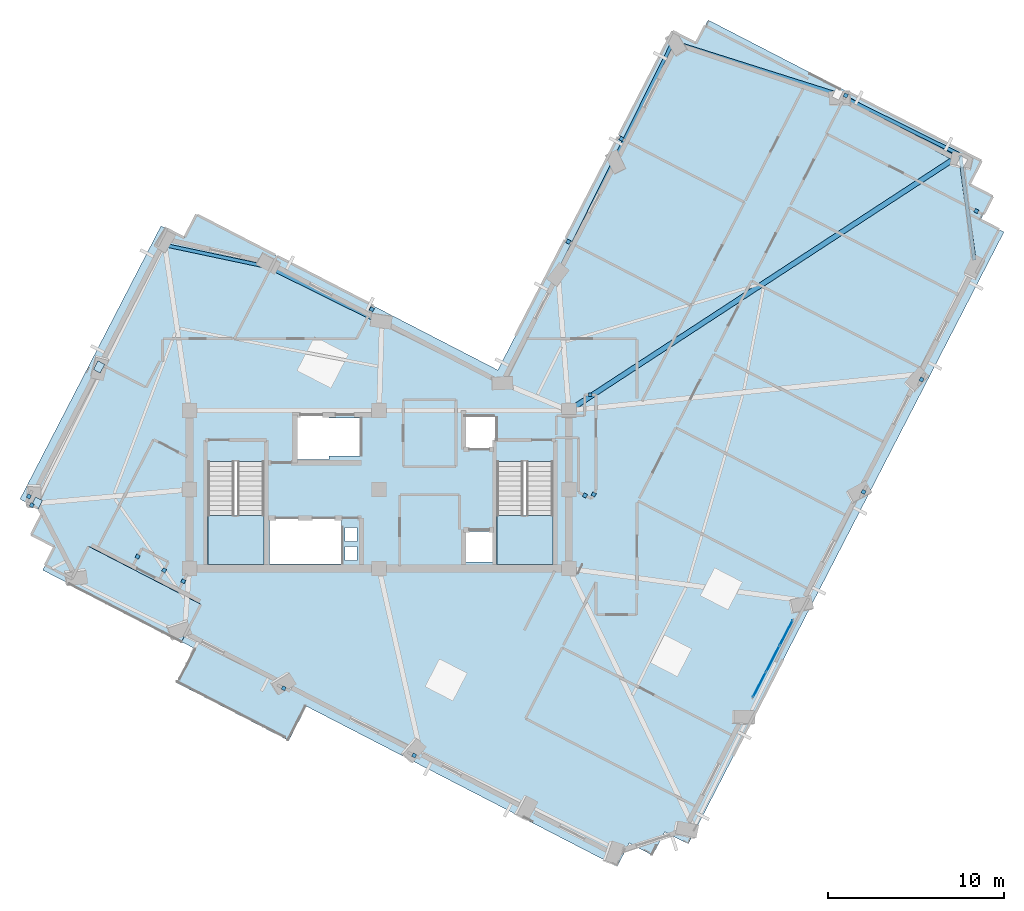
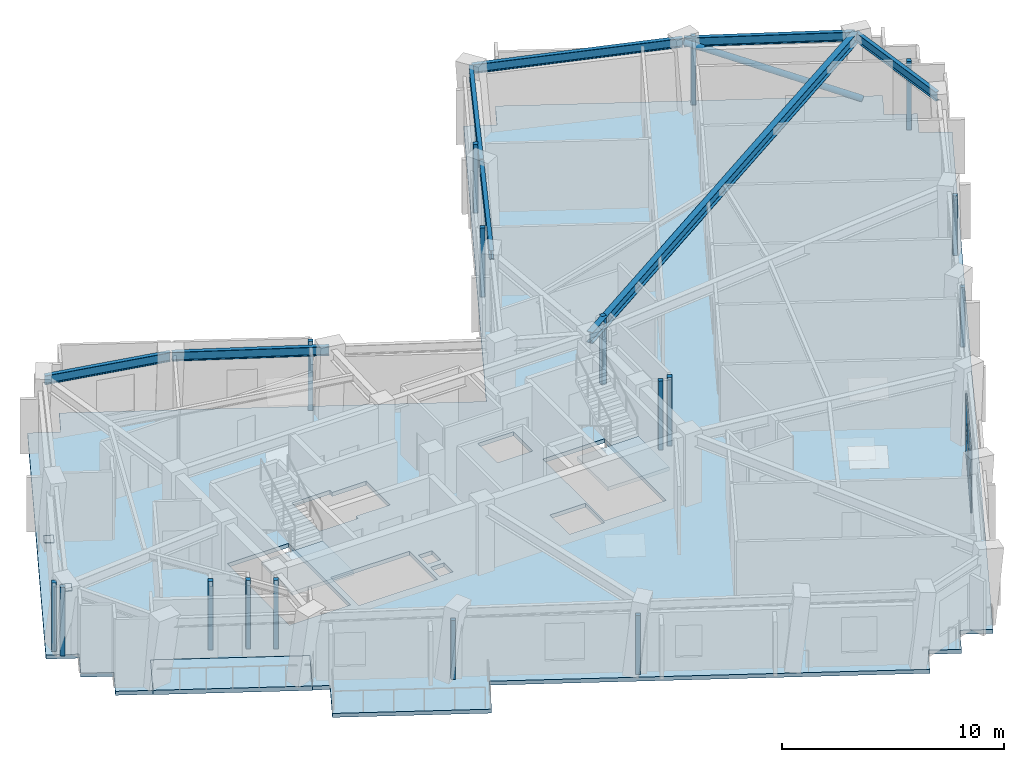
# One storey, part 3 of 11: 25 plates, 8 beams, 4 slabs, 1 member, 3 elements without a shape of their own.
"""IFC4 building model written with IfcOpenShell, lengths in metres."""

from ifc_helpers import new_model, si_unit, direction, frame, origin, origin_2d, place, context, subcontext, project, spatial, polyline, rectangle, hollow_circle, i_section, outline, extrude, material, layer, layer_set, material_profile, profile_set, type_object, element, aggregate, save


model = new_model("IFC4")

# Units and contexts
model_context = context("Model", 3, precision=1e-05, world=origin(), true_north=direction((0.0, 1.0)))
body_context = subcontext(model_context, "Body", "Model", "MODEL_VIEW")
ifc_project = project(units=[si_unit("LENGTHUNIT", "METRE"), si_unit("AREAUNIT", "SQUARE_METRE"), si_unit("VOLUMEUNIT", "CUBIC_METRE"), si_unit("PLANEANGLEUNIT", "RADIAN"), si_unit("MASSUNIT", "GRAM", prefix="KILO")], contexts=[model_context])

# Site, building, storey
site_placement = place(None, origin())
site = spatial("IfcSite", under=ifc_project, at=site_placement, CompositionType="ELEMENT")
building_placement = place(site_placement, origin())
building = spatial("IfcBuilding", under=site, at=building_placement, Name="Gaonmaruhae Medical Tower", CompositionType="ELEMENT")
storey_placement = place(building_placement, frame((0.0, 0.0, 292.60009765625)))
storey = spatial("IfcBuildingStorey", under=building, at=storey_placement, Name="L70", CompositionType="ELEMENT", Elevation=292.60009765625)

# Member
ifc_material_1 = material(Name="Steel SM355", Category="steel")
ifc_material_profile_1 = material_profile(ifc_material_1, hollow_circle(Radius=0.1591796875, WallThickness=0.01025390625, at=origin_2d()), Name="CHS-318.5x10.3")
ifc_profile_set_1 = profile_set([ifc_material_profile_1], Name="Steel SM355")
member_type = type_object("IfcMemberType", Name="PB-03 Perimeter Solid-Bay Tube Brace Upper (CHS-318.5x10.3)", PredefinedType="BRACE", material=ifc_profile_set_1)
member_placement = place(storey_placement, frame((57.987060546875, 30.949951171875, 0.25), z_axis=(-0.813648115528, 0.443291373771, 0.376124317264), x_axis=(-0.478422302134, -0.878129888354, 0.0)))
element("IfcMember", 1, at=member_placement, inside=storey, type_object=member_type, Name="L70 Perimeter Tube Solid-Bay Brace E01-E02", PredefinedType="BRACE", context=body_context, shape_type="SweptSolid", body=[
    extrude(hollow_circle(Radius=0.1591796875, WallThickness=0.01025390625, at=origin_2d()), origin(), (0.0, 0.0, 1.0), 8.719970703125),
])

# Beams
ifc_material_2 = material(Name="Steel SM420", Category="steel")
ifc_material_profile_2 = material_profile(ifc_material_2, i_section(OverallWidth=0.300048828125, OverallDepth=0.60009765625, WebThickness=0.011962890625, FlangeThickness=0.02001953125, FilletRadius=0.012939453125, at=origin_2d()), Name="H-600x300x12x20")
ifc_profile_set_2 = profile_set([ifc_material_profile_2], Name="Steel SM420")
beam_type_1 = type_object("IfcBeamType", Name="PG-04 Zone 4 Radial Floor Girder (H-600x300x12x20)", PredefinedType="BEAM", material=ifc_profile_set_2)
beam_1_placement = place(storey_placement, frame((35.641845703125, 16.827392578125, 3.47998046875), z_axis=(0.837233766809, 0.546845151496, 0.0), x_axis=(-0.546845151496, 0.837233766809, 0.0)))
element("IfcBeam", 2, at=beam_1_placement, inside=storey, type_object=beam_type_1, Name="L70 Radial Primary Girder E01", PredefinedType="BEAM", context=body_context, shape_type="SweptSolid", body=[
    extrude(i_section(OverallWidth=0.300048828125, OverallDepth=0.60009765625, WebThickness=0.011962890625, FlangeThickness=0.02001953125, FilletRadius=0.012939453125, at=origin_2d()), origin(), (0.0, 0.0, 1.0), 26.513427734375),
])
ifc_material_profile_3 = material_profile(ifc_material_1, i_section(OverallWidth=0.199951171875, OverallDepth=0.5, WebThickness=0.010009765625, FlangeThickness=0.01611328125, FilletRadius=0.012939453125, at=origin_2d()), Name="H-500x200x10x16")
ifc_profile_set_3 = profile_set([ifc_material_profile_3], Name="Steel SM355")
beam_type_2 = type_object("IfcBeamType", Name="SP-02 Upper Perimeter Spandrel Beam (H-500x200x10x16)", PredefinedType="SPANDREL", material=ifc_profile_set_3)
beam_2_placement = place(storey_placement, frame((58.681640625, 25.358642578125, 3.52978515625), z_axis=(-0.132272853111, 0.991213343499, 0.0), x_axis=(-0.991213343499, -0.132272853111, 0.0)))
element("IfcBeam", 3, at=beam_2_placement, inside=storey, type_object=beam_type_2, Name="L70 Perimeter Spandrel Beam S06-E01", PredefinedType="SPANDREL", context=body_context, shape_type="SweptSolid", body=[
    extrude(i_section(OverallWidth=0.199951171875, OverallDepth=0.5, WebThickness=0.010009765625, FlangeThickness=0.01611328125, FilletRadius=0.012939453125, at=origin_2d()), origin(), (0.0, 0.0, 1.0), 6.0078125),
])
beam_3_placement = place(storey_placement, frame((57.845703125, 31.37109375, 3.52978515625), z_axis=(-0.896097038925, 0.443858194506, 0.0), x_axis=(-0.443858194506, -0.896097038925, 0.0)))
element("IfcBeam", 4, at=beam_3_placement, inside=storey, type_object=beam_type_2, Name="L70 Perimeter Spandrel Beam E01-E02", PredefinedType="SPANDREL", context=body_context, shape_type="SweptSolid", body=[
    extrude(i_section(OverallWidth=0.199951171875, OverallDepth=0.5, WebThickness=0.010009765625, FlangeThickness=0.01611328125, FilletRadius=0.012939453125, at=origin_2d()), origin(), (0.0, 0.0, 1.0), 7.7197265625),
])
beam_4_placement = place(storey_placement, frame((50.85400390625, 34.82763671875, 3.52978515625), z_axis=(-0.953407401572, 0.301685807799, 0.0), x_axis=(-0.301685807799, -0.953407401572, 0.0)))
element("IfcBeam", 5, at=beam_4_placement, inside=storey, type_object=beam_type_2, Name="L70 Perimeter Spandrel Beam E02-E03", PredefinedType="SPANDREL", context=body_context, shape_type="SweptSolid", body=[
    extrude(i_section(OverallWidth=0.199951171875, OverallDepth=0.5, WebThickness=0.010009765625, FlangeThickness=0.01611328125, FilletRadius=0.012939453125, at=origin_2d()), origin(), (0.0, 0.0, 1.0), 9.7353515625),
])
beam_5_placement = place(storey_placement, frame((41.516357421875, 37.740966796875, 3.52978515625), z_axis=(-0.443863756328, -0.896094284, 0.0), x_axis=(0.896094284, -0.443863756328, 0.0)))
element("IfcBeam", 6, at=beam_5_placement, inside=storey, type_object=beam_type_2, Name="L70 Perimeter Spandrel Beam E03-EN01", PredefinedType="SPANDREL", context=body_context, shape_type="SweptSolid", body=[
    extrude(i_section(OverallWidth=0.199951171875, OverallDepth=0.5, WebThickness=0.010009765625, FlangeThickness=0.01611328125, FilletRadius=0.012939453125, at=origin_2d()), origin(), (0.0, 0.0, 1.0), 7.469970703125),
])
beam_6_placement = place(storey_placement, frame((38.165283203125, 30.975341796875, 3.52978515625), z_axis=(-0.443836379254, -0.896107844208, 0.0), x_axis=(0.896107844208, -0.443836379254, 0.0)))
element("IfcBeam", 7, at=beam_6_placement, inside=storey, type_object=beam_type_2, Name="L70 Perimeter Spandrel Beam EN01-EN02", PredefinedType="SPANDREL", context=body_context, shape_type="SweptSolid", body=[
    extrude(i_section(OverallWidth=0.199951171875, OverallDepth=0.5, WebThickness=0.010009765625, FlangeThickness=0.01611328125, FilletRadius=0.012939453125, at=origin_2d()), origin(), (0.0, 0.0, 1.0), 7.1201171875),
])
beam_7_placement = place(storey_placement, frame((24.921875, 21.7890625, 3.52978515625), z_axis=(-0.896101089288, 0.44385001721, 0.0), x_axis=(-0.44385001721, -0.896101089288, 0.0)))
element("IfcBeam", 8, at=beam_7_placement, inside=storey, type_object=beam_type_2, Name="L70 Perimeter Spandrel Beam NE01-NE02", PredefinedType="SPANDREL", context=body_context, shape_type="SweptSolid", body=[
    extrude(i_section(OverallWidth=0.199951171875, OverallDepth=0.5, WebThickness=0.010009765625, FlangeThickness=0.01611328125, FilletRadius=0.012939453125, at=origin_2d()), origin(), (0.0, 0.0, 1.0), 7.119873046875),
])
beam_8_placement = place(storey_placement, frame((18.466796875, 24.975341796875, 3.52978515625), z_axis=(-0.978269390766, 0.207337886288, 0.0), x_axis=(-0.207337886288, -0.978269390766, 0.0)))
element("IfcBeam", 9, at=beam_8_placement, inside=storey, type_object=beam_type_2, Name="L70 Perimeter Spandrel Beam NE02-N01", PredefinedType="SPANDREL", context=body_context, shape_type="SweptSolid", body=[
    extrude(i_section(OverallWidth=0.199951171875, OverallDepth=0.5, WebThickness=0.010009765625, FlangeThickness=0.01611328125, FilletRadius=0.012939453125, at=origin_2d()), origin(), (0.0, 0.0, 1.0), 5.959228515625),
])

# Curtain wall, plates
ifc_material_3 = material(Name="Anodised aluminium and Low-E double glazing", Category="aluminium")
curtain_wall_type = type_object("IfcCurtainWallType", Name="CW-S3 Spiralling Dayroom Ribbon Curtain Wall", PredefinedType="NOTDEFINED", material=ifc_material_3)
curtain_wall_placement = place(storey_placement, origin())
curtain_wall = element("IfcCurtainWall", 10, at=curtain_wall_placement, inside=storey, type_object=curtain_wall_type, Name="L70 Curtain Wall CW-L70-S02", PredefinedType="NOTDEFINED")
ifc_material_4 = material(Name="Insulated fritted spandrel glass", Category="glass")
ifc_layer_1 = layer(ifc_material_4, 0.0439453125)
ifc_layer_set_1 = layer_set([ifc_layer_1], Name="Insulated fritted spandrel glass")
plate_type_1 = type_object("IfcPlateType", Name="CWP-S1 Insulated Fritted Spandrel Panel", PredefinedType="CURTAIN_PANEL", material=ifc_layer_set_1)
plate_1_placement = place(storey_placement, frame((47.980224609375, 4.1494140625, 0.06494140625), z_axis=(0.0, 0.0, 1.0), x_axis=(-0.458636850866, -0.888623789366, 0.0)))
plate_1 = element("IfcPlate", 11, at=plate_1_placement, type_object=plate_type_1, Name="CW-S3 panel 1.1", PredefinedType="CURTAIN_PANEL", context=body_context, shape_type="SweptSolid", body=[
    extrude(rectangle(XDim=1.581298828125, YDim=0.0439453125, at=origin_2d()), origin(), (0.0, 0.0, 1.0), 1.534912109375),
])
plate_2_placement = place(storey_placement, frame((47.980224609375, 4.1494140625, 1.6650390625), z_axis=(0.0, 0.0, 1.0), x_axis=(-0.458636850866, -0.888623789366, 0.0)))
plate_2 = element("IfcPlate", 12, at=plate_2_placement, type_object=plate_type_1, Name="CW-S3 panel 1.2", PredefinedType="CURTAIN_PANEL", context=body_context, shape_type="SweptSolid", body=[
    extrude(rectangle(XDim=1.581298828125, YDim=0.0439453125, at=origin_2d()), origin(), (0.0, 0.0, 1.0), 1.534912109375),
])
plate_3_placement = place(storey_placement, frame((47.2177734375, 2.671875, 0.06494140625), z_axis=(0.0, 0.0, 1.0), x_axis=(-0.458636850866, -0.888623789366, 0.0)))
plate_3 = element("IfcPlate", 13, at=plate_3_placement, type_object=plate_type_1, Name="CW-S3 panel 2.1", PredefinedType="CURTAIN_PANEL", context=body_context, shape_type="SweptSolid", body=[
    extrude(rectangle(XDim=1.61376953125, YDim=0.0439453125, at=origin_2d()), origin(), (0.0, 0.0, 1.0), 1.534912109375),
])
plate_4_placement = place(storey_placement, frame((47.2177734375, 2.671875, 1.6650390625), z_axis=(0.0, 0.0, 1.0), x_axis=(-0.458636850866, -0.888623789366, 0.0)))
plate_4 = element("IfcPlate", 14, at=plate_4_placement, type_object=plate_type_1, Name="CW-S3 panel 2.2", PredefinedType="CURTAIN_PANEL", context=body_context, shape_type="SweptSolid", body=[
    extrude(rectangle(XDim=1.61376953125, YDim=0.0439453125, at=origin_2d()), origin(), (0.0, 0.0, 1.0), 1.534912109375),
])
plate_5_placement = place(storey_placement, frame((46.455078125, 1.1943359375, 0.06494140625), z_axis=(0.0, 0.0, 1.0), x_axis=(-0.458636850866, -0.888623789366, 0.0)))
plate_5 = element("IfcPlate", 15, at=plate_5_placement, type_object=plate_type_1, Name="CW-S3 panel 3.1", PredefinedType="CURTAIN_PANEL", context=body_context, shape_type="SweptSolid", body=[
    extrude(rectangle(XDim=1.581298828125, YDim=0.0439453125, at=origin_2d()), origin(), (0.0, 0.0, 1.0), 1.534912109375),
])
plate_6_placement = place(storey_placement, frame((46.455078125, 1.1943359375, 1.6650390625), z_axis=(0.0, 0.0, 1.0), x_axis=(-0.458636850866, -0.888623789366, 0.0)))
plate_6 = element("IfcPlate", 16, at=plate_6_placement, type_object=plate_type_1, Name="CW-S3 panel 3.2", PredefinedType="CURTAIN_PANEL", context=body_context, shape_type="SweptSolid", body=[
    extrude(rectangle(XDim=1.581298828125, YDim=0.0439453125, at=origin_2d()), origin(), (0.0, 0.0, 1.0), 1.534912109375),
])
aggregate(curtain_wall, [plate_1, plate_2, plate_3, plate_4, plate_5, plate_6])

# Slab
ifc_material_5 = material(Name="Concrete C40/50", Category="concrete")
ifc_layer_2 = layer(ifc_material_5, 0.219970703125)
ifc_layer_set_2 = layer_set([ifc_layer_2], Name="Concrete C40/50")
slab_type_1 = type_object("IfcSlabType", Name="FS-220 Clinical Ward Composite Floor Slab", PredefinedType="FLOOR", material=ifc_layer_set_2)
slab_1_placement = place(storey_placement, frame((0.0, 0.0, -0.22021484375)))
element("IfcSlab", 17, at=slab_1_placement, inside=storey, type_object=slab_type_1, Name="L70 Structural Slab 1", PredefinedType="FLOOR", context=body_context, shape_type="SweptSolid", body=[
    extrude(outline(polyline([(6.33935546875, 9.048583984375), (5.00634765625, 9.73681640625), (5.6943359375, 11.069580078125), (4.361328125, 11.757568359375), (12.3876953125, 27.308349609375), (13.720703125, 26.620361328125), (14.40869140625, 27.953369140625), (31.55908203125, 19.101318359375), (41.51171875, 38.384521484375), (42.844482421875, 37.6962890625), (43.53271484375, 39.029296875), (59.08349609375, 31.0029296875), (58.3955078125, 29.669921875), (59.728271484375, 28.982177734375), (59.040283203125, 27.649169921875), (60.373291015625, 26.961181640625), (42.394287109375, -7.87255859375), (41.061279296875, -7.184814453125), (40.373291015625, -8.517578125), (39.040283203125, -7.82958984375), (38.352294921875, -9.16259765625), (20.6689453125, -0.035400390625), (19.659912109375, -1.990478515625), (13.261962890625, 1.31201171875), (14.27099609375, 3.266845703125), (13.56005859375, 3.6337890625), (14.660888671875, 5.7666015625), (8.2626953125, 9.068603515625), (7.162109375, 6.93603515625), (5.6513671875, 7.7158203125), (6.33935546875, 9.048583984375)]), holes=[polyline([(23.550048828125, 8.25), (22.85009765625, 8.25), (22.85009765625, 9.050048828125), (23.550048828125, 9.050048828125), (23.550048828125, 8.25)]), polyline([(29.574951171875, 9.925048828125), (31.425048828125, 9.925048828125), (31.425048828125, 8.175048828125), (29.574951171875, 8.175048828125), (29.574951171875, 9.925048828125)]), polyline([(18.550048828125, 10.625), (22.64990234375, 10.625), (22.64990234375, 8.074951171875), (18.550048828125, 8.074951171875), (18.550048828125, 10.625)]), polyline([(23.550048828125, 9.35009765625), (22.85009765625, 9.35009765625), (22.85009765625, 10.14990234375), (23.550048828125, 10.14990234375), (23.550048828125, 9.35009765625)]), polyline([(15.050048828125, 13.889892578125), (18.25, 13.889892578125), (18.25, 8.300048828125), (15.050048828125, 8.300048828125), (15.050048828125, 13.889892578125)]), polyline([(31.5, 13.889892578125), (34.699951171875, 13.889892578125), (34.699951171875, 8.300048828125), (31.5, 8.300048828125), (31.5, 13.889892578125)]), polyline([(23.72509765625, 14.22509765625), (21.949951171875, 14.22509765625), (21.949951171875, 14.02490234375), (19.949951171875, 14.02490234375), (19.949951171875, 16.574951171875), (21.949951171875, 16.574951171875), (21.949951171875, 16.375), (23.72509765625, 16.375), (23.72509765625, 14.22509765625)]), polyline([(31.425048828125, 16.425048828125), (31.425048828125, 14.675048828125), (29.574951171875, 14.675048828125), (29.574951171875, 16.425048828125), (31.425048828125, 16.425048828125)])]), origin(), (0.0, 0.0, 1.0), 0.22021484375),
])

# Plates
ifc_material_6 = material(Name="Steel HSA650 (650 MPa)", Category="steel")
ifc_layer_3 = layer(ifc_material_6, 0.028076171875)
ifc_layer_set_3 = layer_set([ifc_layer_3], Name="Steel HSA650 (650 MPa)")
plate_type_2 = type_object("IfcPlateType", Name="GP-02 Tube Brace End Cap Gusset Plate", PredefinedType="USERDEFINED", material=ifc_layer_set_3)
for number, where, z_axis, x_axis, name in (
    (18, (8.86328125, 19.28076171875, 0.23583984375), (0.0, 0.0, 1.0), (0.458649554484, 0.888617232655, 0.0), "L70 Gusset Cap Plate PLT-L70-PBR-N02A"),
    (19, (5.318603515625, 11.5234375, 3.515625), (0.0, 0.0, 1.0), (0.443853354011, 0.896099436521, 0.0), "L70 Gusset Cap Plate PLT-L70-PBR-N02B"),
):
    element("IfcPlate", number, at=place(storey_placement, frame(where, z_axis=z_axis, x_axis=x_axis)), inside=storey, type_object=plate_type_2, Name=name, ObjectType="GUSSET_PLATE", PredefinedType="USERDEFINED", context=body_context, shape_type="SweptSolid", body=[
        extrude(rectangle(XDim=0.56005859375, YDim=0.43994140625, at=origin_2d()), origin(), (0.0, 0.0, 1.0), 0.028076171875),
    ])
ifc_material_7 = material(Name="Anodised aluminium 6063-T6", Category="aluminium")
ifc_layer_4 = layer(ifc_material_7, 0.011962890625)
ifc_layer_set_4 = layer_set([ifc_layer_4], Name="Anodised aluminium 6063-T6")
plate_type_3 = type_object("IfcPlateType", Name="PP-01 Interior Partition Corner Stiffener Plate", PredefinedType="SHEET", material=ifc_layer_set_4)
for number, where, z_axis, x_axis, name in (
    (20, (52.376953125, 12.16552734375, 0.0), (0.0, 0.0, 1.0), (-0.458773624385, -0.888553184434, 0.0), "L70 Partition Corner Stiffener Plate PLT-L70-JGP-PW024"),
    (21, (55.678466796875, 18.56298828125, 0.0), (0.0, 0.0, 1.0), (-0.45829280372, -0.888801274784, 0.0), "L70 Partition Corner Stiffener Plate PLT-L70-JGP-PW027"),
):
    element("IfcPlate", number, at=place(storey_placement, frame(where, z_axis=z_axis, x_axis=x_axis)), inside=storey, type_object=plate_type_3, Name=name, PredefinedType="SHEET", context=body_context, shape_type="SweptSolid", body=[
        extrude(rectangle(XDim=0.219970703125, YDim=0.219970703125, at=origin_2d()), origin(), (0.0, 0.0, 1.0), 3.264892578125),
    ])
plate_7_placement = place(storey_placement, frame((58.800537109375, 28.155029296875, 0.0), z_axis=(0.0, 0.0, 1.0), x_axis=(0.888737276374, -0.458416899322, 0.0)))
element("IfcPlate", 22, at=plate_7_placement, inside=storey, type_object=plate_type_3, Name="L70 Partition Corner Stiffener Plate PLT-L70-JGP-PW033", PredefinedType="SHEET", context=body_context, shape_type="SweptSolid", body=[
    extrude(rectangle(XDim=0.219970703125, YDim=0.219970703125, at=origin_2d()), origin(), (0.0, 0.0, 1.0), 3.780029296875),
])
for number, where, z_axis, x_axis, name in (
    (23, (26.79345703125, -2.83642578125, -0.000244140625), (0.0, 0.0, 1.0), (-0.888505136901, 0.458866670941, 0.0), "L70 Partition Corner Stiffener Plate PLT-L70-JGP-PW038"),
    (24, (19.3740234375, 0.992919921875, -0.000244140625), (0.0, 0.0, 1.0), (-0.888817271679, 0.458261778424, 0.0), "L70 Partition Corner Stiffener Plate PLT-L70-JGP-PW041"),
):
    element("IfcPlate", number, at=place(storey_placement, frame(where, z_axis=z_axis, x_axis=x_axis)), inside=storey, type_object=plate_type_3, Name=name, PredefinedType="SHEET", context=body_context, shape_type="SweptSolid", body=[
        extrude(rectangle(XDim=0.219970703125, YDim=0.219970703125, at=origin_2d()), origin(), (0.0, 0.0, 1.0), 3.2451171875),
    ])
for number, where, z_axis, x_axis, name in (
    (25, (13.652099609375, 7.08154296875, 0.0), (0.0, 0.0, 1.0), (0.458649554484, 0.888617232655, 0.0), "L70 Partition Corner Stiffener Plate PLT-L70-JGP-PW044"),
    (26, (12.56689453125, 7.70556640625, 0.0), (0.0, 0.0, 1.0), (0.458928699183, 0.888473099799, 0.0), "L70 Partition Corner Stiffener Plate PLT-L70-JGP-PW045"),
    (27, (11.055908203125, 8.485107421875, 0.0), (0.0, 0.0, 1.0), (-0.458540985986, -0.888673260637, 0.0), "L70 Partition Corner Stiffener Plate PLT-L70-JGP-PW047"),
    (28, (5.031982421875, 11.410888671875, 0.0), (0.0, 0.0, 1.0), (-0.88848110948, 0.458913192332, 0.0), "L70 Partition Corner Stiffener Plate PLT-L70-JGP-PW053"),
    (29, (4.866943359375, 11.907958984375, 0.0), (0.0, 0.0, 1.0), (0.459192294254, 0.888336893806, 0.0), "L70 Partition Corner Stiffener Plate PLT-L70-JGP-PW054"),
    (30, (36.824951171875, 17.699951171875, 0.0), (0.0, 0.0, 1.0), (1.0, 0.0, 0.0), "L70 Partition Corner Stiffener Plate PLT-L70-JGP-PW064"),
    (31, (37.0205078125, 12.0224609375, 0.0), (0.0, 0.0, 1.0), (-0.459223302782, -0.88832086443, 0.0), "L70 Partition Corner Stiffener Plate PLT-L70-JGP-PW066"),
    (32, (36.5205078125, 11.96337890625, 0.0), (0.0, 0.0, 1.0), (-0.8883529221, 0.459161285167, 0.0), "L70 Partition Corner Stiffener Plate PLT-L70-JGP-PW067"),
    (33, (35.575927734375, 26.410400390625, 0.0), (0.0, 0.0, 1.0), (0.888833267492, -0.458230752569, 0.0), "L70 Partition Corner Stiffener Plate PLT-L70-JGP-PW072"),
    (34, (38.599609375, 32.26806640625, 0.0), (0.0, 0.0, 1.0), (0.888376962511, -0.459114770487, 0.0), "L70 Partition Corner Stiffener Plate PLT-L70-JGP-PW078"),
    (35, (24.385986328125, 22.55908203125, 0.0), (0.0, 0.0, 1.0), (-0.460044824759, -0.887895691628, 0.0), "L70 Partition Corner Stiffener Plate PLT-L70-JGP-PW088"),
    (36, (51.363037109375, 34.73046875, 0.0), (0.0, 0.0, 1.0), (0.458525475642, 0.888681263551, 0.0), "L70 Partition Corner Stiffener Plate PLT-L70-JGP-PW101"),
):
    element("IfcPlate", number, at=place(storey_placement, frame(where, z_axis=z_axis, x_axis=x_axis)), inside=storey, type_object=plate_type_3, Name=name, PredefinedType="SHEET", context=body_context, shape_type="SweptSolid", body=[
        extrude(rectangle(XDim=0.219970703125, YDim=0.219970703125, at=origin_2d()), origin(), (0.0, 0.0, 1.0), 3.780029296875),
    ])

# Stair, slab
stair_type = type_object("IfcStairType", Name="ST-T1 Primary Core Escape Dogleg Stair", PredefinedType="TWO_QUARTER_TURN_STAIR", material=ifc_material_5)
stair_1_placement = place(storey_placement, origin())
stair_1 = element("IfcStair", 37, at=stair_1_placement, inside=storey, type_object=stair_type, Name="L70 Protected Escape Stair ST-01", PredefinedType="TWO_QUARTER_TURN_STAIR")
ifc_layer_5 = layer(ifc_material_5, 0.199951171875)
ifc_layer_set_5 = layer_set([ifc_layer_5], Name="Concrete C40/50")
slab_type_2 = type_object("IfcSlabType", Name="SL-200 Stair & Ramp Intermediate Concrete Landing", PredefinedType="LANDING", material=ifc_layer_set_5)
slab_2_placement = place(storey_placement, frame((0.0, 0.0, 1.7998046875)))
slab_2 = element("IfcSlab", 38, at=slab_2_placement, type_object=slab_type_2, Name="ST-01 landing 1", PredefinedType="LANDING", context=body_context, shape_type="SweptSolid", body=[
    extrude(outline(polyline([(15.050048828125, 10.820068359375), (15.050048828125, 8.029052734375), (18.25, 8.029052734375), (18.25, 10.820068359375), (15.050048828125, 10.820068359375)])), origin(), (0.0, 0.0, 1.0), 0.2001953125),
])
aggregate(stair_1, [slab_2])

stair_2_placement = place(storey_placement, origin())
stair_2 = element("IfcStair", 39, at=stair_2_placement, inside=storey, type_object=stair_type, Name="L70 Protected Escape Stair ST-02", PredefinedType="TWO_QUARTER_TURN_STAIR")
slab_3_placement = place(storey_placement, frame((0.0, 0.0, 1.7998046875)))
slab_3 = element("IfcSlab", 40, at=slab_3_placement, type_object=slab_type_2, Name="ST-02 landing 1", PredefinedType="LANDING", context=body_context, shape_type="SweptSolid", body=[
    extrude(outline(polyline([(31.5, 10.820068359375), (31.5, 8.029052734375), (34.699951171875, 8.029052734375), (34.699951171875, 10.820068359375), (31.5, 10.820068359375)])), origin(), (0.0, 0.0, 1.0), 0.2001953125),
])
aggregate(stair_2, [slab_3])

# Slab
ifc_layer_6 = layer(ifc_material_5, 0.239990234375)
ifc_layer_set_6 = layer_set([ifc_layer_6], Name="Concrete C40/50")
slab_type_3 = type_object("IfcSlabType", Name="TS-240 Sky Garden & Recovery Terrace Slab", PredefinedType="FLOOR", material=ifc_layer_set_6)
slab_4_placement = place(storey_placement, frame((0.0, 0.0, -0.239990234375)))
element("IfcSlab", 41, at=slab_4_placement, inside=storey, type_object=slab_type_3, Name="L70 Outdoor Recovery Terrace Slab", PredefinedType="FLOOR", context=body_context, shape_type="SweptSolid", body=[
    extrude(outline(polyline([(13.56005859375, 3.6337890625), (14.660888671875, 5.766357421875), (8.2626953125, 9.06884765625), (7.161865234375, 6.93603515625), (13.56005859375, 3.6337890625)])), origin(), (0.0, 0.0, 1.0), 0.239990234375),
])

save(model, "model.ifc")
